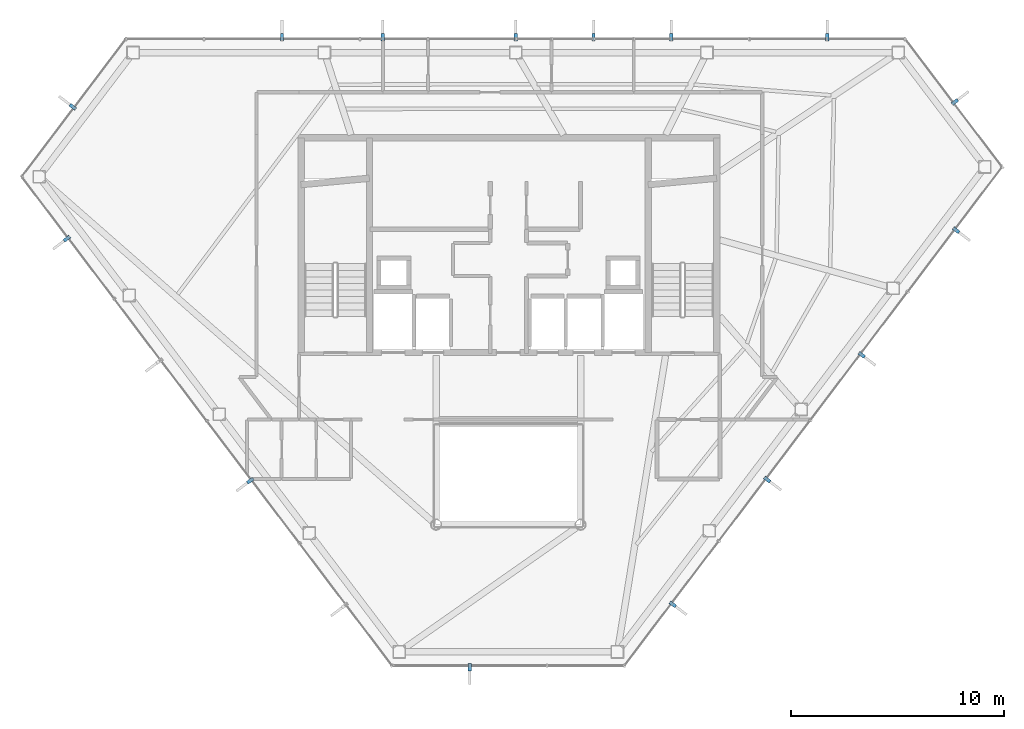
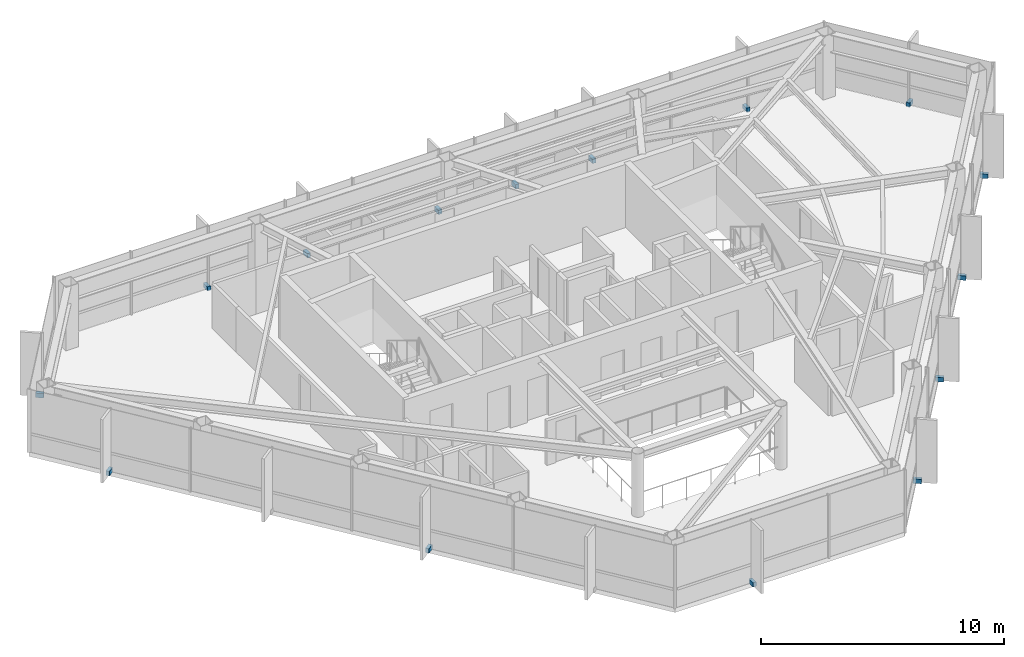
# One storey, part 24 of 25: 15 discrete accessories.
"""IFC4 building model written with IfcOpenShell, lengths in metres."""

from ifc_helpers import new_model, si_unit, direction, frame, origin, origin_2d, place, context, subcontext, project, spatial, rectangle, extrude, material, type_object, element, save


model = new_model("IFC4")

# Units and contexts
model_context = context("Model", 3, precision=1e-05, world=origin(), true_north=direction((0.0, 1.0)))
body_context = subcontext(model_context, "Body", "Model", "MODEL_VIEW")
ifc_project = project(units=[si_unit("LENGTHUNIT", "METRE"), si_unit("AREAUNIT", "SQUARE_METRE"), si_unit("VOLUMEUNIT", "CUBIC_METRE"), si_unit("PLANEANGLEUNIT", "RADIAN"), si_unit("MASSUNIT", "GRAM", prefix="KILO")], contexts=[model_context])

# Site, building, storey
site_placement = place(None, origin())
site = spatial("IfcSite", under=ifc_project, at=site_placement, CompositionType="ELEMENT")
building_placement = place(site_placement, origin())
building = spatial("IfcBuilding", under=site, at=building_placement, Name="Zarrinselat Tower", CompositionType="ELEMENT")
storey_placement = place(building_placement, frame((0.0, 0.0, 242.760009765625)))
storey = spatial("IfcBuildingStorey", under=building, at=storey_placement, Name="L61", CompositionType="ELEMENT", Elevation=242.760009765625)

# Discrete accessories
ifc_material = material(Name="Steel S355J2", Category="steel")
discrete_accessory_type = type_object("IfcDiscreteAccessoryType", Name="ACC-FIN-BRACKET", PredefinedType="BRACKET", material=ifc_material)
for number, where, z_axis, x_axis, name in (
    (1, (53.40380859375, 48.131103515625, -0.0498046875), (0.0, 0.0, 1.0), (0.0, 1.0, 0.0), "L61 Fin Fixing Bracket CW-L61-E01-01"),
    (2, (46.07421875, 48.131103515625, -0.0498046875), (0.0, 0.0, 1.0), (0.0, 1.0, 0.0), "L61 Fin Fixing Bracket CW-L61-E01-03"),
    (3, (42.409423828125, 48.131103515625, -0.0498046875), (0.0, 0.0, 1.0), (0.0, 1.0, 0.0), "L61 Fin Fixing Bracket CW-L61-E01-05"),
    (4, (38.744873046875, 48.131103515625, -0.0498046875), (0.0, 0.0, 1.0), (0.0, 1.0, 0.0), "L61 Fin Fixing Bracket CW-L61-E01-07"),
    (5, (32.5, 48.131103515625, -0.0498046875), (0.0, 0.0, 1.0), (0.0, 1.0, 0.0), "L61 Fin Fixing Bracket CW-L61-E01-09"),
    (6, (27.75048828125, 48.131103515625, -0.0498046875), (0.0, 0.0, 1.0), (0.0, 1.0, 0.0), "L61 Fin Fixing Bracket CW-L61-E01-11"),
    (7, (17.908447265625, 44.860595703125, -0.0498046875), (0.0, 0.0, 1.0), (-0.797091072554, 0.603859107785, 0.0), "L61 Fin Fixing Bracket CW-L61-E02-01"),
    (8, (17.631103515625, 38.65673828125, -0.0498046875), (0.0, 0.0, 1.0), (-0.797091996588, -0.603857888062, 0.0), "L61 Fin Fixing Bracket CW-L61-E03-01"),
    (9, (26.25634765625, 27.271484375, -0.0498046875), (0.0, 0.0, 1.0), (-0.797091996588, -0.603857888062, 0.0), "L61 Fin Fixing Bracket CW-L61-E03-05"),
    (10, (36.58056640625, 18.49267578125, -0.0498046875), (0.0, 0.0, 1.0), (0.0, -1.0, 0.0), "L61 Fin Fixing Bracket CW-L61-E04-01"),
    (11, (46.136474609375, 21.453857421875, -0.0498046875), (0.0, 0.0, 1.0), (0.797091553674, -0.603858472709, 0.0), "L61 Fin Fixing Bracket CW-L61-E05-01"),
    (12, (50.5810546875, 27.32080078125, -0.0498046875), (0.0, 0.0, 1.0), (0.797091553674, -0.603858472709, 0.0), "L61 Fin Fixing Bracket CW-L61-E05-03"),
    (13, (55.02587890625, 33.18798828125, -0.0498046875), (0.0, 0.0, 1.0), (0.797091553674, -0.603858472709, 0.0), "L61 Fin Fixing Bracket CW-L61-E05-05"),
    (14, (59.470458984375, 39.054931640625, -0.0498046875), (0.0, 0.0, 1.0), (0.797091553674, -0.603858472709, 0.0), "L61 Fin Fixing Bracket CW-L61-E05-07"),
    (15, (59.40869140625, 45.08837890625, -0.0498046875), (0.0, 0.0, 1.0), (0.797086364274, 0.603865322642, 0.0), "L61 Fin Fixing Bracket CW-L61-E06-01"),
):
    element("IfcDiscreteAccessory", number, at=place(storey_placement, frame(where, z_axis=z_axis, x_axis=x_axis)), inside=storey, type_object=discrete_accessory_type, Name=name, PredefinedType="BRACKET", context=body_context, shape_type="SweptSolid", body=[
        extrude(rectangle(XDim=0.340087890625, YDim=0.159912109375, at=origin_2d()), origin(), (0.0, 0.0, 1.0), 0.219970703125),
    ])

save(model, "model.ifc")
